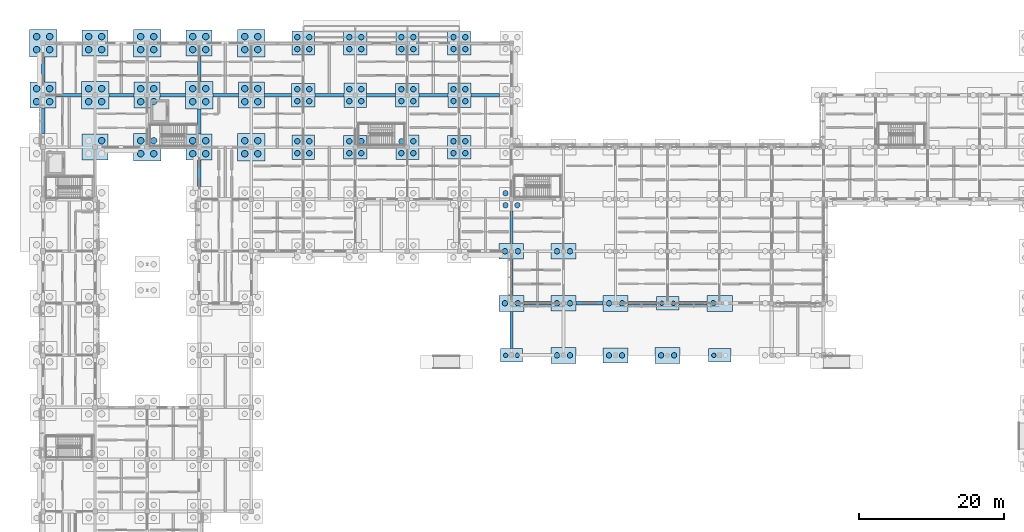
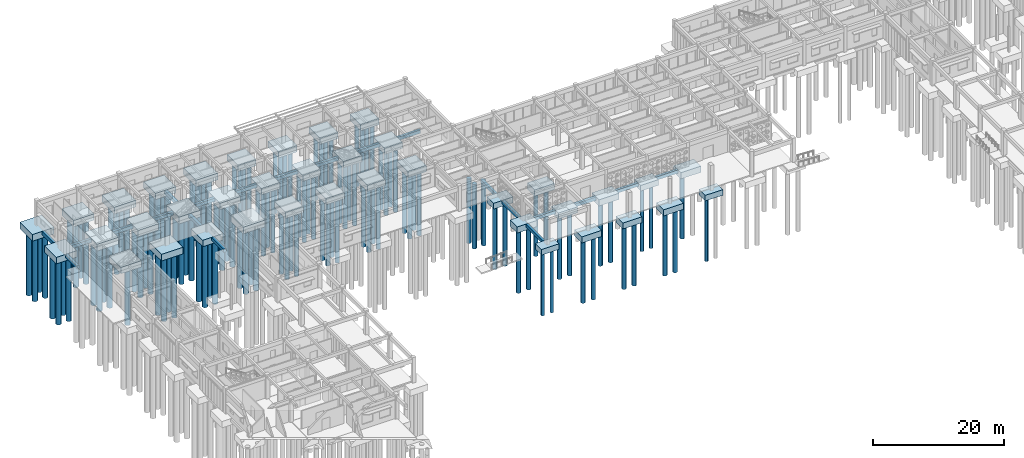
# One storey, part 3 of 111: 126 piles, 59 footings.
"""IFC4 building model written with IfcOpenShell, lengths in metres."""

from ifc_helpers import new_model, si_unit, direction, frame, origin, origin_2d, place, context, subcontext, project, spatial, rectangle, circle, extrude, material, layer, layer_set, material_profile, profile_set, type_object, element, save


model = new_model("IFC4")

# Units and contexts
model_context = context("Model", 3, precision=1e-05, world=origin(), true_north=direction((0.0, 1.0)))
body_context = subcontext(model_context, "Body", "Model", "MODEL_VIEW")
ifc_project = project(units=[si_unit("LENGTHUNIT", "METRE"), si_unit("AREAUNIT", "SQUARE_METRE"), si_unit("VOLUMEUNIT", "CUBIC_METRE"), si_unit("PLANEANGLEUNIT", "RADIAN"), si_unit("MASSUNIT", "GRAM", prefix="KILO")], contexts=[model_context])

# Site, building, storey
site_placement = place(None, origin())
site = spatial("IfcSite", under=ifc_project, at=site_placement, CompositionType="ELEMENT")
building_placement = place(site_placement, origin())
building = spatial("IfcBuilding", under=site, at=building_placement, Name="Aldebral Square Health Centre", CompositionType="ELEMENT")
storey_placement = place(building_placement, origin())
storey = spatial("IfcBuildingStorey", under=building, at=storey_placement, Name="L00", CompositionType="ELEMENT", Elevation=0.0)

# Footings
ifc_material = material(Name="Concrete C35/45", Category="concrete")
ifc_layer_1 = layer(ifc_material, 1.14990234375, Name="Concrete C35/45", Category="concrete")
ifc_layer_set_1 = layer_set([ifc_layer_1], Name="Concrete C35/45")
footing_type_1 = type_object("IfcFootingType", Name="FT-PC2A", PredefinedType="PILE_CAP", material=ifc_layer_set_1)
for number, where, z_axis, x_axis, name in (
    (1, (64.800048828125, 79.199951171875, -1.39990234375), (0.0, 0.0, 1.0), (1.0, 0.0, 0.0), "Pile cap PC7 at 10/12"),
    (2, (72.0, 72.0, -1.39990234375), (0.0, 0.0, 1.0), (1.0, 0.0, 0.0), "Pile cap PC7 at 11/11"),
    (3, (72.0, 86.39990234375, -1.39990234375), (0.0, 0.0, 1.0), (1.0, 0.0, 0.0), "Pile cap PC7 at 11/13"),
    (4, (79.199951171875, 79.199951171875, -1.39990234375), (0.0, 0.0, 1.0), (1.0, 0.0, 0.0), "Pile cap PC7 at 12/12"),
    (5, (86.39990234375, 72.0, -1.39990234375), (0.0, 0.0, 1.0), (1.0, 0.0, 0.0), "Pile cap PC7 at 13/11"),
    (6, (93.60009765625, 79.199951171875, -1.39990234375), (0.0, 0.0, 1.0), (1.0, 0.0, 0.0), "Pile cap PC7 at 14/12"),
):
    element("IfcFooting", number, at=place(storey_placement, frame(where, z_axis=z_axis, x_axis=x_axis)), inside=storey, type_object=footing_type_1, Name=name, PredefinedType="PILE_CAP", context=body_context, shape_type="SweptSolid", body=[
        extrude(rectangle(XDim=3.5, YDim=2.199951171875, at=origin_2d()), origin(), (0.0, 0.0, 1.0), 1.14990234375),
    ])
ifc_layer_2 = layer(ifc_material, 1.10009765625, Name="Concrete C35/45", Category="concrete")
ifc_layer_set_2 = layer_set([ifc_layer_2], Name="Concrete C35/45")
footing_type_2 = type_object("IfcFootingType", Name="FT-PC2B", PredefinedType="PILE_CAP", material=ifc_layer_set_2)
for number, where, z_axis, x_axis, name in (
    (7, (64.800048828125, 86.39990234375, -1.35009765625), (0.0, 0.0, 1.0), (1.0, 0.0, 0.0), "Pile cap PC8 at 10/13"),
    (8, (72.0, 79.199951171875, -1.35009765625), (0.0, 0.0, 1.0), (1.0, 0.0, 0.0), "Pile cap PC8 at 11/12"),
    (9, (79.199951171875, 72.0, -1.35009765625), (0.0, 0.0, 1.0), (1.0, 0.0, 0.0), "Pile cap PC8 at 12/11"),
):
    element("IfcFooting", number, at=place(storey_placement, frame(where, z_axis=z_axis, x_axis=x_axis)), inside=storey, type_object=footing_type_2, Name=name, PredefinedType="PILE_CAP", context=body_context, shape_type="SweptSolid", body=[
        extrude(rectangle(XDim=3.39990234375, YDim=2.10009765625, at=origin_2d()), origin(), (0.0, 0.0, 1.0), 1.10009765625),
    ])
ifc_layer_3 = layer(ifc_material, 1.050048828125, Name="Concrete C35/45", Category="concrete")
ifc_layer_set_3 = layer_set([ifc_layer_3], Name="Concrete C35/45")
footing_type_3 = type_object("IfcFootingType", Name="FT-PC2D", PredefinedType="PILE_CAP", material=ifc_layer_set_3)
for number, where, z_axis, x_axis, name in (
    (10, (64.800048828125, 72.0, -1.2998046875), (0.0, 0.0, 1.0), (1.0, 0.0, 0.0), "Pile cap PC10 at 10/11"),
    (11, (86.39990234375, 79.199951171875, -1.2998046875), (0.0, 0.0, 1.0), (1.0, 0.0, 0.0), "Pile cap PC10 at 13/12"),
    (12, (93.60009765625, 72.0, -1.2998046875), (0.0, 0.0, 1.0), (1.0, 0.0, 0.0), "Pile cap PC10 at 14/11"),
):
    element("IfcFooting", number, at=place(storey_placement, frame(where, z_axis=z_axis, x_axis=x_axis)), inside=storey, type_object=footing_type_3, Name=name, PredefinedType="PILE_CAP", context=body_context, shape_type="SweptSolid", body=[
        extrude(rectangle(XDim=3.10009765625, YDim=1.89990234375, at=origin_2d()), origin(), (0.0, 0.0, 1.0), 1.050048828125),
    ])
ifc_layer_4 = layer(ifc_material, 1.25, Name="Concrete C35/45", Category="concrete")
ifc_layer_set_4 = layer_set([ifc_layer_4], Name="Concrete C35/45")
footing_type_4 = type_object("IfcFootingType", Name="FT-PC4A", PredefinedType="PILE_CAP", material=ifc_layer_set_4)
for number, where, z_axis, x_axis, name in (
    (13, (0.0, 115.199951171875, -1.5), (0.0, 0.0, 1.0), (1.0, 0.0, 0.0), "Pile cap PC1 at 1/17"),
    (14, (7.199951171875, 108.0, -1.5), (0.0, 0.0, 1.0), (1.0, 0.0, 0.0), "Pile cap PC1 at 2/16"),
    (15, (14.39990234375, 100.800048828125, -1.5), (0.0, 0.0, 1.0), (1.0, 0.0, 0.0), "Pile cap PC1 at 3/15"),
    (16, (14.39990234375, 115.199951171875, -1.5), (0.0, 0.0, 1.0), (1.0, 0.0, 0.0), "Pile cap PC1 at 3/17"),
    (17, (21.60009765625, 108.0, -1.5), (0.0, 0.0, 1.0), (1.0, 0.0, 0.0), "Pile cap PC1 at 4/16"),
    (18, (28.800048828125, 100.800048828125, -1.5), (0.0, 0.0, 1.0), (1.0, 0.0, 0.0), "Pile cap PC1 at 5/15"),
    (19, (28.800048828125, 115.199951171875, -1.5), (0.0, 0.0, 1.0), (1.0, 0.0, 0.0), "Pile cap PC1 at 5/17"),
):
    element("IfcFooting", number, at=place(storey_placement, frame(where, z_axis=z_axis, x_axis=x_axis)), inside=storey, type_object=footing_type_4, Name=name, PredefinedType="PILE_CAP", context=body_context, shape_type="SweptSolid", body=[
        extrude(rectangle(XDim=3.800048828125, YDim=3.800048828125, at=origin_2d()), origin(), (0.0, 0.0, 1.0), 1.25),
    ])
ifc_layer_5 = layer(ifc_material, 1.199951171875, Name="Concrete C35/45", Category="concrete")
ifc_layer_set_5 = layer_set([ifc_layer_5], Name="Concrete C35/45")
footing_type_5 = type_object("IfcFootingType", Name="FT-PC4B", PredefinedType="PILE_CAP", material=ifc_layer_set_5)
for number, where, z_axis, x_axis, name in (
    (20, (0.0, 108.0, -1.4501953125), (0.0, 0.0, 1.0), (1.0, 0.0, 0.0), "Pile cap PC2 at 1/16"),
    (21, (7.199951171875, 100.800048828125, -1.4501953125), (0.0, 0.0, 1.0), (1.0, 0.0, 0.0), "Pile cap PC2 at 2/15"),
    (22, (7.199951171875, 115.199951171875, -1.4501953125), (0.0, 0.0, 1.0), (1.0, 0.0, 0.0), "Pile cap PC2 at 2/17"),
    (23, (14.39990234375, 108.0, -1.4501953125), (0.0, 0.0, 1.0), (1.0, 0.0, 0.0), "Pile cap PC2 at 3/16"),
    (24, (21.60009765625, 100.800048828125, -1.4501953125), (0.0, 0.0, 1.0), (1.0, 0.0, 0.0), "Pile cap PC2 at 4/15"),
    (25, (21.60009765625, 115.199951171875, -1.4501953125), (0.0, 0.0, 1.0), (1.0, 0.0, 0.0), "Pile cap PC2 at 4/17"),
    (26, (28.800048828125, 108.0, -1.4501953125), (0.0, 0.0, 1.0), (1.0, 0.0, 0.0), "Pile cap PC2 at 5/16"),
):
    element("IfcFooting", number, at=place(storey_placement, frame(where, z_axis=z_axis, x_axis=x_axis)), inside=storey, type_object=footing_type_5, Name=name, PredefinedType="PILE_CAP", context=body_context, shape_type="SweptSolid", body=[
        extrude(rectangle(XDim=3.60009765625, YDim=3.60009765625, at=origin_2d()), origin(), (0.0, 0.0, 1.0), 1.199951171875),
    ])
ifc_layer_6 = layer(ifc_material, 1.14990234375, Name="Concrete C35/45", Category="concrete")
ifc_layer_set_6 = layer_set([ifc_layer_6], Name="Concrete C35/45")
footing_type_6 = type_object("IfcFootingType", Name="FT-PC4E", PredefinedType="PILE_CAP", material=ifc_layer_set_6)
for number, where, z_axis, x_axis, name in (
    (27, (36.0, 108.0, -1.39990234375), (0.0, 0.0, 1.0), (1.0, 0.0, 0.0), "Pile cap PC5 at 6/16"),
    (28, (43.199951171875, 100.800048828125, -1.39990234375), (0.0, 0.0, 1.0), (1.0, 0.0, 0.0), "Pile cap PC5 at 7/15"),
    (29, (43.199951171875, 115.199951171875, -1.39990234375), (0.0, 0.0, 1.0), (1.0, 0.0, 0.0), "Pile cap PC5 at 7/17"),
    (30, (50.39990234375, 108.0, -1.39990234375), (0.0, 0.0, 1.0), (1.0, 0.0, 0.0), "Pile cap PC5 at 8/16"),
    (31, (57.60009765625, 100.800048828125, -1.39990234375), (0.0, 0.0, 1.0), (1.0, 0.0, 0.0), "Pile cap PC5 at 9/15"),
    (32, (57.60009765625, 115.199951171875, -1.39990234375), (0.0, 0.0, 1.0), (1.0, 0.0, 0.0), "Pile cap PC5 at 9/17"),
):
    element("IfcFooting", number, at=place(storey_placement, frame(where, z_axis=z_axis, x_axis=x_axis)), inside=storey, type_object=footing_type_6, Name=name, PredefinedType="PILE_CAP", context=body_context, shape_type="SweptSolid", body=[
        extrude(rectangle(XDim=3.25, YDim=3.25, at=origin_2d()), origin(), (0.0, 0.0, 1.0), 1.14990234375),
    ])
ifc_layer_7 = layer(ifc_material, 1.14990234375, Name="Concrete C35/45", Category="concrete")
ifc_layer_set_7 = layer_set([ifc_layer_7], Name="Concrete C35/45")
footing_type_7 = type_object("IfcFootingType", Name="FT-PC4F", PredefinedType="PILE_CAP", material=ifc_layer_set_7)
for number, where, z_axis, x_axis, name in (
    (33, (36.0, 100.800048828125, -1.39990234375), (0.0, 0.0, 1.0), (1.0, 0.0, 0.0), "Pile cap PC6 at 6/15"),
    (34, (36.0, 115.199951171875, -1.39990234375), (0.0, 0.0, 1.0), (1.0, 0.0, 0.0), "Pile cap PC6 at 6/17"),
    (35, (43.199951171875, 108.0, -1.39990234375), (0.0, 0.0, 1.0), (1.0, 0.0, 0.0), "Pile cap PC6 at 7/16"),
    (36, (50.39990234375, 100.800048828125, -1.39990234375), (0.0, 0.0, 1.0), (1.0, 0.0, 0.0), "Pile cap PC6 at 8/15"),
    (37, (50.39990234375, 115.199951171875, -1.39990234375), (0.0, 0.0, 1.0), (1.0, 0.0, 0.0), "Pile cap PC6 at 8/17"),
    (38, (57.60009765625, 108.0, -1.39990234375), (0.0, 0.0, 1.0), (1.0, 0.0, 0.0), "Pile cap PC6 at 9/16"),
):
    element("IfcFooting", number, at=place(storey_placement, frame(where, z_axis=z_axis, x_axis=x_axis)), inside=storey, type_object=footing_type_7, Name=name, PredefinedType="PILE_CAP", context=body_context, shape_type="SweptSolid", body=[
        extrude(rectangle(XDim=3.14990234375, YDim=3.35009765625, at=origin_2d()), origin(), (0.0, 0.0, 1.0), 1.14990234375),
    ])
ifc_material_profile_1 = material_profile(ifc_material, rectangle(XDim=0.449951171875, YDim=0.60009765625, at=origin_2d()), Name="RC 450x600")
ifc_profile_set_1 = profile_set([ifc_material_profile_1], Name="Concrete C35/45")
footing_type_8 = type_object("IfcFootingType", Name="FT-TB1", PredefinedType="FOOTING_BEAM", material=ifc_profile_set_1)
for number, where, z_axis, x_axis, name in (
    (39, (0.0, 102.699951171875, -0.550048828125), (0.0, 1.0, 0.0), (-1.0, 0.0, 0.0), "Ground tie beam Y 1-15"),
    (40, (1.800048828125, 108.0, -0.550048828125), (1.0, 0.0, 0.0), (0.0, 1.0, 0.0), "Ground tie beam X 1-16"),
    (41, (0.0, 109.800048828125, -0.550048828125), (0.0, 1.0, 0.0), (-1.0, 0.0, 0.0), "Ground tie beam Y 1-16"),
    (42, (9.10009765625, 108.0, -0.550048828125), (1.0, 0.0, 0.0), (0.0, 1.0, 0.0), "Ground tie beam X 2-16"),
    (43, (16.199951171875, 108.0, -0.550048828125), (1.0, 0.0, 0.0), (0.0, 1.0, 0.0), "Ground tie beam X 3-16"),
):
    element("IfcFooting", number, at=place(storey_placement, frame(where, z_axis=z_axis, x_axis=x_axis)), inside=storey, type_object=footing_type_8, Name=name, PredefinedType="FOOTING_BEAM", context=body_context, shape_type="SweptSolid", body=[
        extrude(rectangle(XDim=0.449951171875, YDim=0.60009765625, at=origin_2d()), origin(), (0.0, 0.0, 1.0), 3.5),
    ])
footing_1_placement = place(storey_placement, frame((21.60009765625, 95.35009765625, -0.550048828125), z_axis=(0.0, 1.0, 0.0), x_axis=(-1.0, 0.0, 0.0)))
element("IfcFooting", 44, at=footing_1_placement, inside=storey, type_object=footing_type_8, Name="Ground tie beam Y 4-14", PredefinedType="FOOTING_BEAM", context=body_context, shape_type="SweptSolid", body=[
    extrude(rectangle(XDim=0.449951171875, YDim=0.60009765625, at=origin_2d()), origin(), (0.0, 0.0, 1.0), 3.64990234375),
])
for number, where, z_axis, x_axis, name in (
    (45, (21.60009765625, 102.60009765625, -0.550048828125), (0.0, 1.0, 0.0), (-1.0, 0.0, 0.0), "Ground tie beam Y 4-15"),
    (46, (23.5, 108.0, -0.550048828125), (1.0, 0.0, 0.0), (0.0, 1.0, 0.0), "Ground tie beam X 4-16"),
    (47, (21.60009765625, 109.89990234375, -0.550048828125), (0.0, 1.0, 0.0), (-1.0, 0.0, 0.0), "Ground tie beam Y 4-16"),
):
    element("IfcFooting", number, at=place(storey_placement, frame(where, z_axis=z_axis, x_axis=x_axis)), inside=storey, type_object=footing_type_8, Name=name, PredefinedType="FOOTING_BEAM", context=body_context, shape_type="SweptSolid", body=[
        extrude(rectangle(XDim=0.449951171875, YDim=0.60009765625, at=origin_2d()), origin(), (0.0, 0.0, 1.0), 3.5),
    ])
footing_2_placement = place(storey_placement, frame((30.60009765625, 108.0, -0.550048828125), z_axis=(1.0, 0.0, 0.0), x_axis=(0.0, 1.0, 0.0)))
element("IfcFooting", 48, at=footing_2_placement, inside=storey, type_object=footing_type_8, Name="Ground tie beam X 5-16", PredefinedType="FOOTING_BEAM", context=body_context, shape_type="SweptSolid", body=[
    extrude(rectangle(XDim=0.449951171875, YDim=0.60009765625, at=origin_2d()), origin(), (0.0, 0.0, 1.0), 3.77490234375),
])
for number, where, z_axis, x_axis, name in (
    (49, (37.625, 108.0, -0.550048828125), (1.0, 0.0, 0.0), (0.0, 1.0, 0.0), "Ground tie beam X 6-16"),
    (50, (44.77490234375, 108.0, -0.550048828125), (1.0, 0.0, 0.0), (0.0, 1.0, 0.0), "Ground tie beam X 7-16"),
    (51, (52.02490234375, 108.0, -0.550048828125), (1.0, 0.0, 0.0), (0.0, 1.0, 0.0), "Ground tie beam X 8-16"),
    (52, (59.175048828125, 108.0, -0.550048828125), (1.0, 0.0, 0.0), (0.0, 1.0, 0.0), "Ground tie beam X 9-16"),
):
    element("IfcFooting", number, at=place(storey_placement, frame(where, z_axis=z_axis, x_axis=x_axis)), inside=storey, type_object=footing_type_8, Name=name, PredefinedType="FOOTING_BEAM", context=body_context, shape_type="SweptSolid", body=[
        extrude(rectangle(XDim=0.449951171875, YDim=0.60009765625, at=origin_2d()), origin(), (0.0, 0.0, 1.0), 4.0),
    ])
footing_3_placement = place(storey_placement, frame((64.800048828125, 72.949951171875, -0.550048828125), z_axis=(0.0, 1.0, 0.0), x_axis=(-1.0, 0.0, 0.0)))
element("IfcFooting", 53, at=footing_3_placement, inside=storey, type_object=footing_type_8, Name="Ground tie beam Y 10-11", PredefinedType="FOOTING_BEAM", context=body_context, shape_type="SweptSolid", body=[
    extrude(rectangle(XDim=0.449951171875, YDim=0.60009765625, at=origin_2d()), origin(), (0.0, 0.0, 1.0), 5.150146484375),
])
footing_4_placement = place(storey_placement, frame((66.550048828125, 79.199951171875, -0.550048828125), z_axis=(1.0, 0.0, 0.0), x_axis=(0.0, 1.0, 0.0)))
element("IfcFooting", 54, at=footing_4_placement, inside=storey, type_object=footing_type_8, Name="Ground tie beam X 10-12", PredefinedType="FOOTING_BEAM", context=body_context, shape_type="SweptSolid", body=[
    extrude(rectangle(XDim=0.449951171875, YDim=0.60009765625, at=origin_2d()), origin(), (0.0, 0.0, 1.0), 3.75),
])
footing_5_placement = place(storey_placement, frame((64.800048828125, 80.300048828125, -0.550048828125), z_axis=(0.0, 1.0, 0.0), x_axis=(-1.0, 0.0, 0.0)))
element("IfcFooting", 55, at=footing_5_placement, inside=storey, type_object=footing_type_8, Name="Ground tie beam Y 10-12", PredefinedType="FOOTING_BEAM", context=body_context, shape_type="SweptSolid", body=[
    extrude(rectangle(XDim=0.449951171875, YDim=0.60009765625, at=origin_2d()), origin(), (0.0, 0.0, 1.0), 5.050048828125),
])
footing_6_placement = place(storey_placement, frame((64.800048828125, 87.449951171875, -0.550048828125), z_axis=(0.0, 1.0, 0.0), x_axis=(-1.0, 0.0, 0.0)))
element("IfcFooting", 56, at=footing_6_placement, inside=storey, type_object=footing_type_8, Name="Ground tie beam Y 10-13", PredefinedType="FOOTING_BEAM", context=body_context, shape_type="SweptSolid", body=[
    extrude(rectangle(XDim=0.449951171875, YDim=0.60009765625, at=origin_2d()), origin(), (0.0, 0.0, 1.0), 4.525146484375),
])
footing_7_placement = place(storey_placement, frame((73.699951171875, 79.199951171875, -0.550048828125), z_axis=(1.0, 0.0, 0.0), x_axis=(0.0, 1.0, 0.0)))
element("IfcFooting", 57, at=footing_7_placement, inside=storey, type_object=footing_type_8, Name="Ground tie beam X 11-12", PredefinedType="FOOTING_BEAM", context=body_context, shape_type="SweptSolid", body=[
    extrude(rectangle(XDim=0.449951171875, YDim=0.60009765625, at=origin_2d()), origin(), (0.0, 0.0, 1.0), 3.75),
])
for number, where, z_axis, x_axis, name in (
    (58, (80.949951171875, 79.199951171875, -0.550048828125), (1.0, 0.0, 0.0), (0.0, 1.0, 0.0), "Ground tie beam X 12-12"),
    (59, (87.949951171875, 79.199951171875, -0.550048828125), (1.0, 0.0, 0.0), (0.0, 1.0, 0.0), "Ground tie beam X 13-12"),
):
    element("IfcFooting", number, at=place(storey_placement, frame(where, z_axis=z_axis, x_axis=x_axis)), inside=storey, type_object=footing_type_8, Name=name, PredefinedType="FOOTING_BEAM", context=body_context, shape_type="SweptSolid", body=[
        extrude(rectangle(XDim=0.449951171875, YDim=0.60009765625, at=origin_2d()), origin(), (0.0, 0.0, 1.0), 3.900146484375),
    ])

# Piles
ifc_material_profile_2 = material_profile(ifc_material, circle(Radius=0.300048828125, at=origin_2d()), Name="PILE D600")
ifc_profile_set_2 = profile_set([ifc_material_profile_2], Name="Concrete C35/45")
pile_type_1 = type_object("IfcPileType", Name="PL-600", PredefinedType="BORED", material=ifc_profile_set_2)
for number, where, z_axis, x_axis, name in (
    (60, (64.0, 72.0, -1.199951171875), (0.0, 0.0, -1.0), (1.0, 0.0, 0.0), "Bored pile 10-11-1"),
    (61, (65.60009765625, 72.0, -1.199951171875), (0.0, 0.0, -1.0), (1.0, 0.0, 0.0), "Bored pile 10-11-2"),
    (62, (85.60009765625, 79.199951171875, -1.199951171875), (0.0, 0.0, -1.0), (1.0, 0.0, 0.0), "Bored pile 13-12-1"),
    (63, (87.199951171875, 79.199951171875, -1.199951171875), (0.0, 0.0, -1.0), (1.0, 0.0, 0.0), "Bored pile 13-12-2"),
    (64, (92.800048828125, 72.0, -1.199951171875), (0.0, 0.0, -1.0), (1.0, 0.0, 0.0), "Bored pile 14-11-1"),
):
    element("IfcPile", number, at=place(storey_placement, frame(where, z_axis=z_axis, x_axis=x_axis)), inside=storey, type_object=pile_type_1, Name=name, PredefinedType="BORED", context=body_context, shape_type="SweptSolid", body=[
        extrude(circle(Radius=0.300048828125, at=origin_2d()), origin(), (0.0, 0.0, 1.0), 12.0),
    ])
ifc_material_profile_3 = material_profile(ifc_material, circle(Radius=0.375, at=origin_2d()), Name="PILE D750")
ifc_profile_set_3 = profile_set([ifc_material_profile_3], Name="Concrete C35/45")
pile_type_2 = type_object("IfcPileType", Name="PL-750", PredefinedType="BORED", material=ifc_profile_set_3)
for number, where, z_axis, x_axis, name in (
    (65, (35.175048828125, 99.97509765625, -1.300048828125), (0.0, 0.0, -1.0), (1.0, 0.0, 0.0), "Bored pile 6-15-1"),
    (66, (36.824951171875, 99.97509765625, -1.300048828125), (0.0, 0.0, -1.0), (1.0, 0.0, 0.0), "Bored pile 6-15-2"),
    (67, (35.175048828125, 101.625, -1.300048828125), (0.0, 0.0, -1.0), (1.0, 0.0, 0.0), "Bored pile 6-15-3"),
    (68, (36.824951171875, 101.625, -1.300048828125), (0.0, 0.0, -1.0), (1.0, 0.0, 0.0), "Bored pile 6-15-4"),
    (69, (35.175048828125, 107.175048828125, -1.300048828125), (0.0, 0.0, -1.0), (1.0, 0.0, 0.0), "Bored pile 6-16-1"),
    (70, (36.824951171875, 107.175048828125, -1.300048828125), (0.0, 0.0, -1.0), (1.0, 0.0, 0.0), "Bored pile 6-16-2"),
    (71, (35.175048828125, 108.824951171875, -1.300048828125), (0.0, 0.0, -1.0), (1.0, 0.0, 0.0), "Bored pile 6-16-3"),
    (72, (36.824951171875, 108.824951171875, -1.300048828125), (0.0, 0.0, -1.0), (1.0, 0.0, 0.0), "Bored pile 6-16-4"),
    (73, (35.175048828125, 114.375, -1.300048828125), (0.0, 0.0, -1.0), (1.0, 0.0, 0.0), "Bored pile 6-17-1"),
    (74, (36.824951171875, 114.375, -1.300048828125), (0.0, 0.0, -1.0), (1.0, 0.0, 0.0), "Bored pile 6-17-2"),
    (75, (35.175048828125, 116.02490234375, -1.300048828125), (0.0, 0.0, -1.0), (1.0, 0.0, 0.0), "Bored pile 6-17-3"),
    (76, (36.824951171875, 116.02490234375, -1.300048828125), (0.0, 0.0, -1.0), (1.0, 0.0, 0.0), "Bored pile 6-17-4"),
    (77, (42.375, 99.97509765625, -1.300048828125), (0.0, 0.0, -1.0), (1.0, 0.0, 0.0), "Bored pile 7-15-1"),
    (78, (44.02490234375, 99.97509765625, -1.300048828125), (0.0, 0.0, -1.0), (1.0, 0.0, 0.0), "Bored pile 7-15-2"),
    (79, (42.375, 101.625, -1.300048828125), (0.0, 0.0, -1.0), (1.0, 0.0, 0.0), "Bored pile 7-15-3"),
    (80, (44.02490234375, 101.625, -1.300048828125), (0.0, 0.0, -1.0), (1.0, 0.0, 0.0), "Bored pile 7-15-4"),
    (81, (42.375, 107.175048828125, -1.300048828125), (0.0, 0.0, -1.0), (1.0, 0.0, 0.0), "Bored pile 7-16-1"),
    (82, (44.02490234375, 107.175048828125, -1.300048828125), (0.0, 0.0, -1.0), (1.0, 0.0, 0.0), "Bored pile 7-16-2"),
    (83, (42.375, 108.824951171875, -1.300048828125), (0.0, 0.0, -1.0), (1.0, 0.0, 0.0), "Bored pile 7-16-3"),
    (84, (44.02490234375, 108.824951171875, -1.300048828125), (0.0, 0.0, -1.0), (1.0, 0.0, 0.0), "Bored pile 7-16-4"),
    (85, (42.375, 114.375, -1.300048828125), (0.0, 0.0, -1.0), (1.0, 0.0, 0.0), "Bored pile 7-17-1"),
    (86, (44.02490234375, 114.375, -1.300048828125), (0.0, 0.0, -1.0), (1.0, 0.0, 0.0), "Bored pile 7-17-2"),
    (87, (42.375, 116.02490234375, -1.300048828125), (0.0, 0.0, -1.0), (1.0, 0.0, 0.0), "Bored pile 7-17-3"),
    (88, (44.02490234375, 116.02490234375, -1.300048828125), (0.0, 0.0, -1.0), (1.0, 0.0, 0.0), "Bored pile 7-17-4"),
    (89, (49.574951171875, 99.97509765625, -1.300048828125), (0.0, 0.0, -1.0), (1.0, 0.0, 0.0), "Bored pile 8-15-1"),
    (90, (51.22509765625, 99.97509765625, -1.300048828125), (0.0, 0.0, -1.0), (1.0, 0.0, 0.0), "Bored pile 8-15-2"),
    (91, (49.574951171875, 101.625, -1.300048828125), (0.0, 0.0, -1.0), (1.0, 0.0, 0.0), "Bored pile 8-15-3"),
    (92, (51.22509765625, 101.625, -1.300048828125), (0.0, 0.0, -1.0), (1.0, 0.0, 0.0), "Bored pile 8-15-4"),
    (93, (49.574951171875, 107.175048828125, -1.300048828125), (0.0, 0.0, -1.0), (1.0, 0.0, 0.0), "Bored pile 8-16-1"),
    (94, (51.22509765625, 107.175048828125, -1.300048828125), (0.0, 0.0, -1.0), (1.0, 0.0, 0.0), "Bored pile 8-16-2"),
    (95, (49.574951171875, 108.824951171875, -1.300048828125), (0.0, 0.0, -1.0), (1.0, 0.0, 0.0), "Bored pile 8-16-3"),
    (96, (51.22509765625, 108.824951171875, -1.300048828125), (0.0, 0.0, -1.0), (1.0, 0.0, 0.0), "Bored pile 8-16-4"),
    (97, (49.574951171875, 114.375, -1.300048828125), (0.0, 0.0, -1.0), (1.0, 0.0, 0.0), "Bored pile 8-17-1"),
    (98, (51.22509765625, 114.375, -1.300048828125), (0.0, 0.0, -1.0), (1.0, 0.0, 0.0), "Bored pile 8-17-2"),
    (99, (49.574951171875, 116.02490234375, -1.300048828125), (0.0, 0.0, -1.0), (1.0, 0.0, 0.0), "Bored pile 8-17-3"),
    (100, (51.22509765625, 116.02490234375, -1.300048828125), (0.0, 0.0, -1.0), (1.0, 0.0, 0.0), "Bored pile 8-17-4"),
    (101, (56.77490234375, 99.97509765625, -1.300048828125), (0.0, 0.0, -1.0), (1.0, 0.0, 0.0), "Bored pile 9-15-1"),
    (102, (58.425048828125, 99.97509765625, -1.300048828125), (0.0, 0.0, -1.0), (1.0, 0.0, 0.0), "Bored pile 9-15-2"),
    (103, (56.77490234375, 101.625, -1.300048828125), (0.0, 0.0, -1.0), (1.0, 0.0, 0.0), "Bored pile 9-15-3"),
    (104, (58.425048828125, 101.625, -1.300048828125), (0.0, 0.0, -1.0), (1.0, 0.0, 0.0), "Bored pile 9-15-4"),
    (105, (56.77490234375, 107.175048828125, -1.300048828125), (0.0, 0.0, -1.0), (1.0, 0.0, 0.0), "Bored pile 9-16-1"),
    (106, (58.425048828125, 107.175048828125, -1.300048828125), (0.0, 0.0, -1.0), (1.0, 0.0, 0.0), "Bored pile 9-16-2"),
    (107, (56.77490234375, 108.824951171875, -1.300048828125), (0.0, 0.0, -1.0), (1.0, 0.0, 0.0), "Bored pile 9-16-3"),
    (108, (58.425048828125, 108.824951171875, -1.300048828125), (0.0, 0.0, -1.0), (1.0, 0.0, 0.0), "Bored pile 9-16-4"),
    (109, (56.77490234375, 114.375, -1.300048828125), (0.0, 0.0, -1.0), (1.0, 0.0, 0.0), "Bored pile 9-17-1"),
    (110, (58.425048828125, 114.375, -1.300048828125), (0.0, 0.0, -1.0), (1.0, 0.0, 0.0), "Bored pile 9-17-2"),
    (111, (56.77490234375, 116.02490234375, -1.300048828125), (0.0, 0.0, -1.0), (1.0, 0.0, 0.0), "Bored pile 9-17-3"),
    (112, (58.425048828125, 116.02490234375, -1.300048828125), (0.0, 0.0, -1.0), (1.0, 0.0, 0.0), "Bored pile 9-17-4"),
    (113, (63.89990234375, 79.199951171875, -1.300048828125), (0.0, 0.0, -1.0), (1.0, 0.0, 0.0), "Bored pile 10-12-1"),
    (114, (65.699951171875, 79.199951171875, -1.300048828125), (0.0, 0.0, -1.0), (1.0, 0.0, 0.0), "Bored pile 10-12-2"),
    (115, (63.89990234375, 86.39990234375, -1.25), (0.0, 0.0, -1.0), (1.0, 0.0, 0.0), "Bored pile 10-13-1"),
    (116, (65.699951171875, 86.39990234375, -1.25), (0.0, 0.0, -1.0), (1.0, 0.0, 0.0), "Bored pile 10-13-2"),
    (117, (63.97509765625, 92.77490234375, -1.300048828125), (0.0, 0.0, -1.0), (1.0, 0.0, 0.0), "Bored pile 10-14-1"),
    (118, (65.625, 92.77490234375, -1.300048828125), (0.0, 0.0, -1.0), (1.0, 0.0, 0.0), "Bored pile 10-14-2"),
    (119, (63.97509765625, 94.425048828125, -1.300048828125), (0.0, 0.0, -1.0), (1.0, 0.0, 0.0), "Bored pile 10-14-3"),
    (120, (71.10009765625, 72.0, -1.300048828125), (0.0, 0.0, -1.0), (1.0, 0.0, 0.0), "Bored pile 11-11-1"),
    (121, (72.89990234375, 72.0, -1.300048828125), (0.0, 0.0, -1.0), (1.0, 0.0, 0.0), "Bored pile 11-11-2"),
    (122, (71.10009765625, 79.199951171875, -1.25), (0.0, 0.0, -1.0), (1.0, 0.0, 0.0), "Bored pile 11-12-1"),
    (123, (72.89990234375, 79.199951171875, -1.25), (0.0, 0.0, -1.0), (1.0, 0.0, 0.0), "Bored pile 11-12-2"),
    (124, (71.10009765625, 86.39990234375, -1.300048828125), (0.0, 0.0, -1.0), (1.0, 0.0, 0.0), "Bored pile 11-13-1"),
    (125, (72.89990234375, 86.39990234375, -1.300048828125), (0.0, 0.0, -1.0), (1.0, 0.0, 0.0), "Bored pile 11-13-2"),
    (126, (78.300048828125, 72.0, -1.25), (0.0, 0.0, -1.0), (1.0, 0.0, 0.0), "Bored pile 12-11-1"),
    (127, (80.10009765625, 72.0, -1.25), (0.0, 0.0, -1.0), (1.0, 0.0, 0.0), "Bored pile 12-11-2"),
    (128, (78.300048828125, 79.199951171875, -1.300048828125), (0.0, 0.0, -1.0), (1.0, 0.0, 0.0), "Bored pile 12-12-1"),
    (129, (80.10009765625, 79.199951171875, -1.300048828125), (0.0, 0.0, -1.0), (1.0, 0.0, 0.0), "Bored pile 12-12-2"),
    (130, (85.5, 72.0, -1.300048828125), (0.0, 0.0, -1.0), (1.0, 0.0, 0.0), "Bored pile 13-11-1"),
    (131, (87.300048828125, 72.0, -1.300048828125), (0.0, 0.0, -1.0), (1.0, 0.0, 0.0), "Bored pile 13-11-2"),
    (132, (92.699951171875, 79.199951171875, -1.300048828125), (0.0, 0.0, -1.0), (1.0, 0.0, 0.0), "Bored pile 14-12-1"),
):
    element("IfcPile", number, at=place(storey_placement, frame(where, z_axis=z_axis, x_axis=x_axis)), inside=storey, type_object=pile_type_2, Name=name, PredefinedType="BORED", context=body_context, shape_type="SweptSolid", body=[
        extrude(circle(Radius=0.375, at=origin_2d()), origin(), (0.0, 0.0, 1.0), 12.0),
    ])
ifc_material_profile_4 = material_profile(ifc_material, circle(Radius=0.449951171875, at=origin_2d()), Name="PILE D900")
ifc_profile_set_4 = profile_set([ifc_material_profile_4], Name="Concrete C35/45")
pile_type_3 = type_object("IfcPileType", Name="PL-900", PredefinedType="BORED", material=ifc_profile_set_4)
for number, where, z_axis, x_axis, name in (
    (133, (-0.89990234375, 107.10009765625, -1.35009765625), (0.0, 0.0, -1.0), (1.0, 0.0, 0.0), "Bored pile 1-16-1"),
    (134, (0.89990234375, 107.10009765625, -1.35009765625), (0.0, 0.0, -1.0), (1.0, 0.0, 0.0), "Bored pile 1-16-2"),
    (135, (-0.89990234375, 108.89990234375, -1.35009765625), (0.0, 0.0, -1.0), (1.0, 0.0, 0.0), "Bored pile 1-16-3"),
    (136, (0.89990234375, 108.89990234375, -1.35009765625), (0.0, 0.0, -1.0), (1.0, 0.0, 0.0), "Bored pile 1-16-4"),
    (137, (-0.89990234375, 114.300048828125, -1.39990234375), (0.0, 0.0, -1.0), (1.0, 0.0, 0.0), "Bored pile 1-17-1"),
    (138, (0.89990234375, 114.300048828125, -1.39990234375), (0.0, 0.0, -1.0), (1.0, 0.0, 0.0), "Bored pile 1-17-2"),
    (139, (-0.89990234375, 116.10009765625, -1.39990234375), (0.0, 0.0, -1.0), (1.0, 0.0, 0.0), "Bored pile 1-17-3"),
    (140, (0.89990234375, 116.10009765625, -1.39990234375), (0.0, 0.0, -1.0), (1.0, 0.0, 0.0), "Bored pile 1-17-4"),
    (141, (8.10009765625, 101.699951171875, -1.35009765625), (0.0, 0.0, -1.0), (1.0, 0.0, 0.0), "Bored pile 2-15-4"),
    (142, (6.300048828125, 107.10009765625, -1.39990234375), (0.0, 0.0, -1.0), (1.0, 0.0, 0.0), "Bored pile 2-16-1"),
    (143, (8.10009765625, 107.10009765625, -1.39990234375), (0.0, 0.0, -1.0), (1.0, 0.0, 0.0), "Bored pile 2-16-2"),
    (144, (6.300048828125, 108.89990234375, -1.39990234375), (0.0, 0.0, -1.0), (1.0, 0.0, 0.0), "Bored pile 2-16-3"),
    (145, (8.10009765625, 108.89990234375, -1.39990234375), (0.0, 0.0, -1.0), (1.0, 0.0, 0.0), "Bored pile 2-16-4"),
    (146, (6.300048828125, 114.300048828125, -1.35009765625), (0.0, 0.0, -1.0), (1.0, 0.0, 0.0), "Bored pile 2-17-1"),
    (147, (8.10009765625, 114.300048828125, -1.35009765625), (0.0, 0.0, -1.0), (1.0, 0.0, 0.0), "Bored pile 2-17-2"),
    (148, (6.300048828125, 116.10009765625, -1.35009765625), (0.0, 0.0, -1.0), (1.0, 0.0, 0.0), "Bored pile 2-17-3"),
    (149, (8.10009765625, 116.10009765625, -1.35009765625), (0.0, 0.0, -1.0), (1.0, 0.0, 0.0), "Bored pile 2-17-4"),
    (150, (13.5, 99.89990234375, -1.39990234375), (0.0, 0.0, -1.0), (1.0, 0.0, 0.0), "Bored pile 3-15-1"),
    (151, (15.300048828125, 99.89990234375, -1.39990234375), (0.0, 0.0, -1.0), (1.0, 0.0, 0.0), "Bored pile 3-15-2"),
    (152, (13.5, 101.699951171875, -1.39990234375), (0.0, 0.0, -1.0), (1.0, 0.0, 0.0), "Bored pile 3-15-3"),
    (153, (15.300048828125, 101.699951171875, -1.39990234375), (0.0, 0.0, -1.0), (1.0, 0.0, 0.0), "Bored pile 3-15-4"),
    (154, (13.5, 107.10009765625, -1.35009765625), (0.0, 0.0, -1.0), (1.0, 0.0, 0.0), "Bored pile 3-16-1"),
    (155, (15.300048828125, 107.10009765625, -1.35009765625), (0.0, 0.0, -1.0), (1.0, 0.0, 0.0), "Bored pile 3-16-2"),
    (156, (13.5, 108.89990234375, -1.35009765625), (0.0, 0.0, -1.0), (1.0, 0.0, 0.0), "Bored pile 3-16-3"),
    (157, (15.300048828125, 108.89990234375, -1.35009765625), (0.0, 0.0, -1.0), (1.0, 0.0, 0.0), "Bored pile 3-16-4"),
    (158, (13.5, 114.300048828125, -1.39990234375), (0.0, 0.0, -1.0), (1.0, 0.0, 0.0), "Bored pile 3-17-1"),
    (159, (15.300048828125, 114.300048828125, -1.39990234375), (0.0, 0.0, -1.0), (1.0, 0.0, 0.0), "Bored pile 3-17-2"),
    (160, (13.5, 116.10009765625, -1.39990234375), (0.0, 0.0, -1.0), (1.0, 0.0, 0.0), "Bored pile 3-17-3"),
    (161, (15.300048828125, 116.10009765625, -1.39990234375), (0.0, 0.0, -1.0), (1.0, 0.0, 0.0), "Bored pile 3-17-4"),
    (162, (20.699951171875, 99.89990234375, -1.35009765625), (0.0, 0.0, -1.0), (1.0, 0.0, 0.0), "Bored pile 4-15-1"),
    (163, (22.5, 99.89990234375, -1.35009765625), (0.0, 0.0, -1.0), (1.0, 0.0, 0.0), "Bored pile 4-15-2"),
    (164, (20.699951171875, 101.699951171875, -1.35009765625), (0.0, 0.0, -1.0), (1.0, 0.0, 0.0), "Bored pile 4-15-3"),
    (165, (22.5, 101.699951171875, -1.35009765625), (0.0, 0.0, -1.0), (1.0, 0.0, 0.0), "Bored pile 4-15-4"),
    (166, (20.699951171875, 107.10009765625, -1.39990234375), (0.0, 0.0, -1.0), (1.0, 0.0, 0.0), "Bored pile 4-16-1"),
    (167, (22.5, 107.10009765625, -1.39990234375), (0.0, 0.0, -1.0), (1.0, 0.0, 0.0), "Bored pile 4-16-2"),
    (168, (20.699951171875, 108.89990234375, -1.39990234375), (0.0, 0.0, -1.0), (1.0, 0.0, 0.0), "Bored pile 4-16-3"),
    (169, (22.5, 108.89990234375, -1.39990234375), (0.0, 0.0, -1.0), (1.0, 0.0, 0.0), "Bored pile 4-16-4"),
    (170, (20.699951171875, 114.300048828125, -1.35009765625), (0.0, 0.0, -1.0), (1.0, 0.0, 0.0), "Bored pile 4-17-1"),
    (171, (22.5, 114.300048828125, -1.35009765625), (0.0, 0.0, -1.0), (1.0, 0.0, 0.0), "Bored pile 4-17-2"),
    (172, (20.699951171875, 116.10009765625, -1.35009765625), (0.0, 0.0, -1.0), (1.0, 0.0, 0.0), "Bored pile 4-17-3"),
    (173, (22.5, 116.10009765625, -1.35009765625), (0.0, 0.0, -1.0), (1.0, 0.0, 0.0), "Bored pile 4-17-4"),
    (174, (27.89990234375, 99.89990234375, -1.39990234375), (0.0, 0.0, -1.0), (1.0, 0.0, 0.0), "Bored pile 5-15-1"),
    (175, (29.699951171875, 99.89990234375, -1.39990234375), (0.0, 0.0, -1.0), (1.0, 0.0, 0.0), "Bored pile 5-15-2"),
    (176, (27.89990234375, 101.699951171875, -1.39990234375), (0.0, 0.0, -1.0), (1.0, 0.0, 0.0), "Bored pile 5-15-3"),
    (177, (29.699951171875, 101.699951171875, -1.39990234375), (0.0, 0.0, -1.0), (1.0, 0.0, 0.0), "Bored pile 5-15-4"),
    (178, (27.89990234375, 107.10009765625, -1.35009765625), (0.0, 0.0, -1.0), (1.0, 0.0, 0.0), "Bored pile 5-16-1"),
    (179, (29.699951171875, 107.10009765625, -1.35009765625), (0.0, 0.0, -1.0), (1.0, 0.0, 0.0), "Bored pile 5-16-2"),
    (180, (27.89990234375, 108.89990234375, -1.35009765625), (0.0, 0.0, -1.0), (1.0, 0.0, 0.0), "Bored pile 5-16-3"),
    (181, (29.699951171875, 108.89990234375, -1.35009765625), (0.0, 0.0, -1.0), (1.0, 0.0, 0.0), "Bored pile 5-16-4"),
    (182, (27.89990234375, 114.300048828125, -1.39990234375), (0.0, 0.0, -1.0), (1.0, 0.0, 0.0), "Bored pile 5-17-1"),
    (183, (29.699951171875, 114.300048828125, -1.39990234375), (0.0, 0.0, -1.0), (1.0, 0.0, 0.0), "Bored pile 5-17-2"),
    (184, (27.89990234375, 116.10009765625, -1.39990234375), (0.0, 0.0, -1.0), (1.0, 0.0, 0.0), "Bored pile 5-17-3"),
    (185, (29.699951171875, 116.10009765625, -1.39990234375), (0.0, 0.0, -1.0), (1.0, 0.0, 0.0), "Bored pile 5-17-4"),
):
    element("IfcPile", number, at=place(storey_placement, frame(where, z_axis=z_axis, x_axis=x_axis)), inside=storey, type_object=pile_type_3, Name=name, PredefinedType="BORED", context=body_context, shape_type="SweptSolid", body=[
        extrude(circle(Radius=0.449951171875, at=origin_2d()), origin(), (0.0, 0.0, 1.0), 12.0),
    ])

save(model, "model.ifc")
